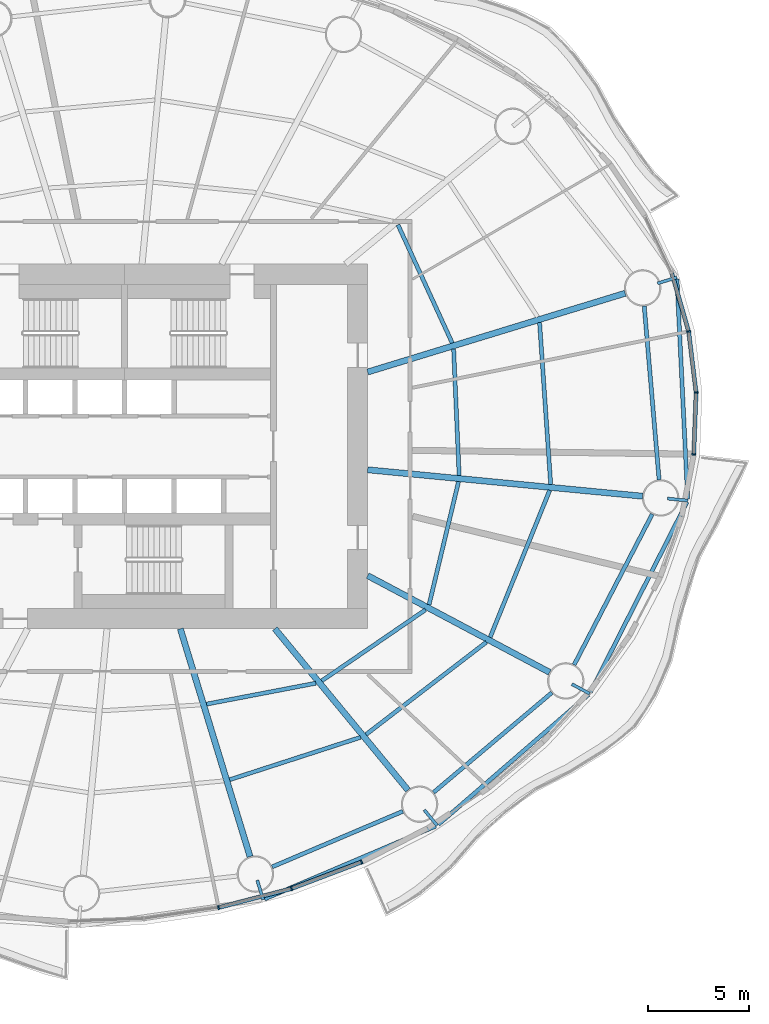
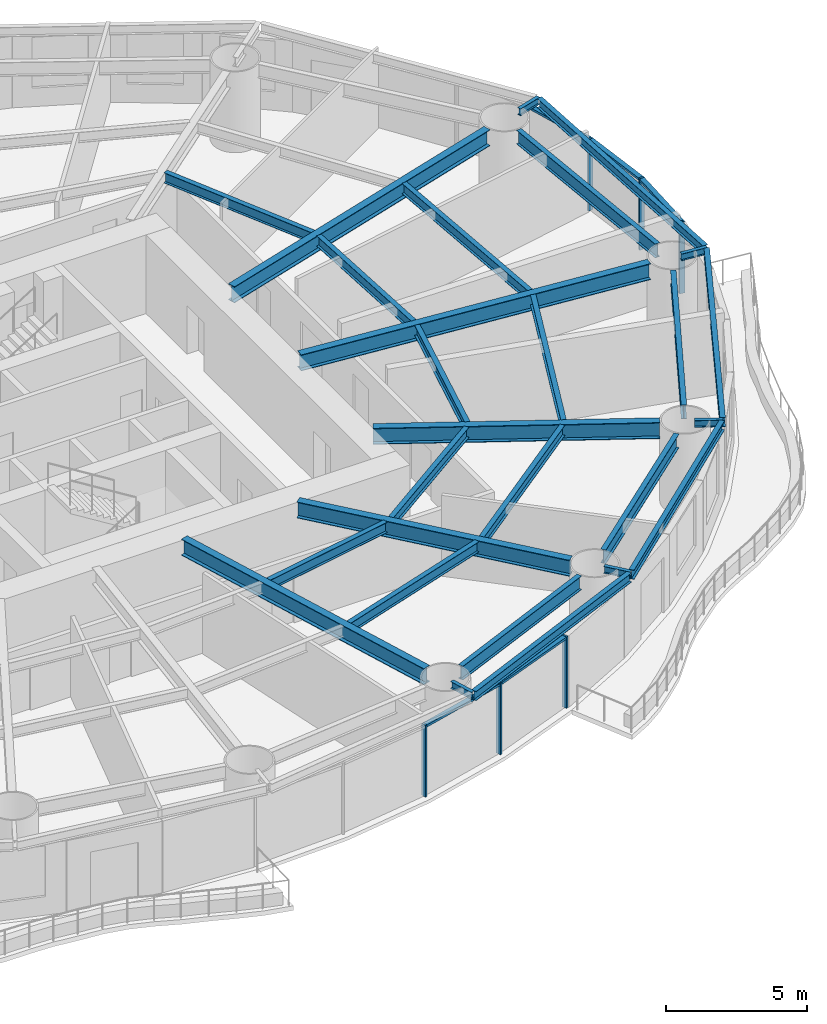
# One storey, part 4 of 16: 27 beams, 11 members, 5 elements without a shape of their own.
"""IFC4 building model written with IfcOpenShell, lengths in metres."""

import ifcopenshell
import ifcopenshell.guid

model = None  # the IFC model being written
_history = None  # IfcOwnerHistory: only IFC2X3 demands one
_inside = {}  # id of a spatial element -> (the spatial element, [elements in it])
_under = {}  # id of a project, library or spatial element -> (it, [spatial elements below it])
_declared = {}  # id of a project -> (the project, [libraries it declares])
_typed = {}  # id of a type object -> (the type object, [elements of that type])
_made_of = {}  # id of a material, layer set ... -> (it, [elements and type objects made of it])


def new_model(schema):
    """Start an empty IFC model of exactly this schema.

    Asked for "IFC4X3", IfcOpenShell would pick the latest addendum, in which some entities
    have other attributes; the version numbers below select the first issue.
    IFC2X3 requires an IfcOwnerHistory on every rooted entity: one is made here for all.
    """
    global model, _history
    if schema == "IFC4X3":
        model = ifcopenshell.file(schema_version=(4, 3, 0, 0))
    else:
        model = ifcopenshell.file(schema=schema)
    _inside.clear()
    _under.clear()
    _declared.clear()
    _typed.clear()
    _made_of.clear()
    _history = None
    if model.schema == "IFC2X3":
        org = make("IfcOrganization", Name="unknown")
        user = make(
            "IfcPersonAndOrganization",
            ThePerson=make("IfcPerson", FamilyName="unknown"),
            TheOrganization=org,
        )
        app = make(
            "IfcApplication",
            ApplicationDeveloper=org,
            Version="unknown",
            ApplicationFullName="unknown",
            ApplicationIdentifier="unknown",
        )
        _history = make(
            "IfcOwnerHistory",
            OwningUser=user,
            OwningApplication=app,
            ChangeAction="ADDED",
            CreationDate=0,
        )
    return model


def make(cls, **values):
    """One entity of the class cls with the attributes given. An attribute that is None is left unset."""
    return model.create_entity(
        cls, **{name: value for name, value in values.items() if value is not None}
    )


def rooted(cls, **values):
    """An entity with a GlobalId (a new one), such as an element, a storey or a relation."""
    return make(cls, GlobalId=ifcopenshell.guid.new(), OwnerHistory=_history, **values)


def si_unit(unit_type, name, prefix=None):
    """IfcSIUnit, for example si_unit("LENGTHUNIT", "METRE", prefix="MILLI")."""
    return make("IfcSIUnit", UnitType=unit_type, Prefix=prefix, Name=name)


def assignment(units):
    """IfcUnitAssignment: the units of a project."""
    return None if units is None else make("IfcUnitAssignment", Units=units)


def point(xyz):
    """IfcCartesianPoint."""
    return None if xyz is None else make("IfcCartesianPoint", Coordinates=xyz)


def direction(xyz):
    """IfcDirection."""
    return None if xyz is None else make("IfcDirection", DirectionRatios=xyz)


def frame(location, z_axis=None, x_axis=None):
    """IfcAxis2Placement3D, a coordinate frame: its origin and axes. An axis left out is left unset."""
    return make(
        "IfcAxis2Placement3D",
        Location=point(location),
        Axis=direction(z_axis),
        RefDirection=direction(x_axis),
    )


def frame_2d(location, x_axis=None):
    """IfcAxis2Placement2D, a coordinate frame in the plane: its origin and x axis."""
    return make(
        "IfcAxis2Placement2D", Location=point(location), RefDirection=direction(x_axis)
    )


def origin():
    """The frame at (0, 0, 0) with its axes left unset."""
    return frame((0.0, 0.0, 0.0))


def origin_2d():
    """The frame at (0, 0) in the plane with its x axis left unset."""
    return frame_2d((0.0, 0.0))


def place(relative_to, where):
    """IfcLocalPlacement: puts the frame where relative to a parent placement (None: the world)."""
    return make(
        "IfcLocalPlacement", PlacementRelTo=relative_to, RelativePlacement=where
    )


def context(
    kind, dimensions, precision=None, world=None, true_north=None, identifier=None
):
    """IfcGeometricRepresentationContext, for example the 3D "Model" context."""
    return make(
        "IfcGeometricRepresentationContext",
        ContextIdentifier=identifier,
        ContextType=kind,
        CoordinateSpaceDimension=dimensions,
        Precision=precision,
        WorldCoordinateSystem=world,
        TrueNorth=true_north,
    )


def subcontext(parent, identifier, kind, view, scale=None):
    """IfcGeometricRepresentationSubContext, for example "Body" below "Model"."""
    return make(
        "IfcGeometricRepresentationSubContext",
        ContextIdentifier=identifier,
        ContextType=kind,
        ParentContext=parent,
        TargetScale=scale,
        TargetView=view,
    )


def project(units=None, contexts=None):
    """IfcProject with its units and contexts."""
    return rooted(
        "IfcProject",
        Name="project",
        RepresentationContexts=contexts,
        UnitsInContext=assignment(units),
    )


def spatial(cls, under=None, at=None, **own):
    """A site, building, storey or space (cls), placed at a placement, below another one or the project."""
    s = rooted(cls, ObjectPlacement=at, **own)
    if under is not None:
        _under.setdefault(under.id(), (under, []))[1].append(s)
    return s


def profile(cls, at=None, kind="AREA", **sizes):
    """A parametric profile (cls). Its sizes go by their IFC names, for example OverallWidth=200.0."""
    return make(cls, ProfileType=kind, Position=at, **sizes)


def rectangle(**sizes):
    """IfcRectangleProfileDef."""
    return profile("IfcRectangleProfileDef", **sizes)


def i_section(**sizes):
    """IfcIShapeProfileDef."""
    return profile("IfcIShapeProfileDef", **sizes)


def extrude(swept, where, along, depth):
    """IfcExtrudedAreaSolid: the profile swept, set in the frame where, extruded along a direction by depth."""
    return make(
        "IfcExtrudedAreaSolid",
        SweptArea=swept,
        Position=where,
        ExtrudedDirection=direction(along),
        Depth=depth,
    )


def shape(context_of_items, identifier, shape_type, items):
    """IfcShapeRepresentation: the items that make up one representation, for example the "Body"."""
    return make(
        "IfcShapeRepresentation",
        ContextOfItems=context_of_items,
        RepresentationIdentifier=identifier,
        RepresentationType=shape_type,
        Items=items,
    )


def material(Name=None, Category=None):
    """IfcMaterial."""
    return make("IfcMaterial", Name=Name, Category=Category)


def material_profile(
    of_material, cross_section, Name=None, Category=None, Priority=None
):
    """IfcMaterialProfile: a cross section and its material."""
    return make(
        "IfcMaterialProfile",
        Name=Name,
        Material=of_material,
        Profile=cross_section,
        Priority=Priority,
        Category=Category,
    )


def profile_set(profiles, Name=None, composite=None):
    """IfcMaterialProfileSet."""
    return make(
        "IfcMaterialProfileSet",
        Name=Name,
        MaterialProfiles=profiles,
        CompositeProfile=composite,
    )


def made_of(thing, what):
    """Note that an element or type object is made of a material, layer set ...; save() writes the relation."""
    if what is not None:
        _made_of.setdefault(what.id(), (what, []))[1].append(thing)
    return thing


def type_object(cls, material=None, **own):
    """A type object (cls), such as IfcWallType, which elements share."""
    return made_of(rooted(cls, **own), material)


def element(
    cls,
    number,
    at=None,
    inside=None,
    cuts=None,
    type_object=None,
    material=None,
    context=None,
    identifier="Body",
    shape_type=None,
    held_by="IfcProductDefinitionShape",
    body=None,
    shapes=None,
    **own,
):
    """One element of the class cls, such as IfcWall. Its Tag is "e" and its number.

    at: its placement. inside: the storey or other place that contains it. cuts: it is an
    opening in that element (IfcRelVoidsElement). A single representation is given by context,
    identifier, shape_type and body (its items); several are given by shapes. held_by: the class
    of the entity that holds the representations. save() writes the other relations.
    """
    e = rooted(cls, Tag="e%d" % number, ObjectPlacement=at, **own)
    if body is not None:
        shapes = [shape(context, identifier, shape_type, body)]
    if shapes is not None:
        e.Representation = make(held_by, Representations=shapes)
    if inside is not None:
        _inside.setdefault(inside.id(), (inside, []))[1].append(e)
    if cuts is not None:
        rooted(
            "IfcRelVoidsElement", RelatingBuildingElement=cuts, RelatedOpeningElement=e
        )
    if type_object is not None:
        _typed.setdefault(type_object.id(), (type_object, []))[1].append(e)
    return made_of(e, material)


def aggregate(whole, parts):
    """IfcRelAggregates: a whole, such as a stair, and the parts it consists of."""
    return rooted("IfcRelAggregates", RelatingObject=whole, RelatedObjects=parts)


def save(model, path):
    """Write the relations noted so far, then the file.

    IfcRelAggregates (storeys below a building ...), IfcRelContainedInSpatialStructure (elements
    in a storey), IfcRelDefinesByType, IfcRelAssociatesMaterial and IfcRelDeclares: one each for
    every whole, place, type object, material and project.
    """
    for whole, parts in _under.values():
        aggregate(whole, parts)
    for where, things in _inside.values():
        rooted(
            "IfcRelContainedInSpatialStructure",
            RelatedElements=things,
            RelatingStructure=where,
        )
    for kind, things in _typed.values():
        rooted("IfcRelDefinesByType", RelatedObjects=things, RelatingType=kind)
    for what, things in _made_of.values():
        rooted("IfcRelAssociatesMaterial", RelatedObjects=things, RelatingMaterial=what)
    for by, libraries in _declared.values():
        rooted("IfcRelDeclares", RelatingContext=by, RelatedDefinitions=libraries)
    model.write(path)


model = new_model("IFC4")

# Units and contexts
model_context = context("Model", 3, precision=1e-05, world=origin(), true_north=direction((0.0, 1.0)))
body_context = subcontext(model_context, "Body", "Model", "MODEL_VIEW")
ifc_project = project(units=[si_unit("LENGTHUNIT", "METRE"), si_unit("AREAUNIT", "SQUARE_METRE"), si_unit("VOLUMEUNIT", "CUBIC_METRE"), si_unit("PLANEANGLEUNIT", "RADIAN"), si_unit("MASSUNIT", "GRAM", prefix="KILO")], contexts=[model_context])

# Site, building, storey
site_placement = place(None, origin())
site = spatial("IfcSite", under=ifc_project, at=site_placement, CompositionType="ELEMENT")
building_placement = place(site_placement, origin())
building = spatial("IfcBuilding", under=site, at=building_placement, Name="Vermilion Reach Broadcast Tower", CompositionType="ELEMENT")
storey_placement = place(building_placement, frame((0.0, 0.0, 80.39990234375)))
storey = spatial("IfcBuildingStorey", under=building, at=storey_placement, Name="L17", CompositionType="ELEMENT", Elevation=80.39990234375)

# Beams
ifc_material_1 = material(Name="Steel S355J2", Category="steel")
ifc_material_profile_1 = material_profile(ifc_material_1, i_section(OverallWidth=0.199951171875, OverallDepth=0.39990234375, WebThickness=0.008056640625, FlangeThickness=0.012939453125, at=origin_2d()), Name="S355J2 HN 400x200x8x13")
ifc_profile_set_1 = profile_set([ifc_material_profile_1], Name="Steel S355J2")
beam_type_1 = type_object("IfcBeamType", Name="EB1 HN 400x200x8x13", PredefinedType="BEAM", material=ifc_profile_set_1)
beam_1_placement = place(storey_placement, frame((0.912841796875, -22.340576171875, 3.300048828125), z_axis=(0.920064099083, 0.391767856746, 0.0), x_axis=(-0.391767856746, 0.920064099083, 0.0)))
element("IfcBeam", 1, at=beam_1_placement, inside=storey, type_object=beam_type_1, Name="Edge beam EB1-13", PredefinedType="BEAM", context=body_context, shape_type="SweptSolid", body=[
    extrude(i_section(OverallWidth=0.199951171875, OverallDepth=0.39990234375, WebThickness=0.008056640625, FlangeThickness=0.012939453125, at=origin_2d()), origin(), (0.0, 0.0, 1.0), 9.1806640625),
])
beam_2_placement = place(storey_placement, frame((9.48828125, -18.6640625, 3.300048828125), z_axis=(0.756490108512, 0.654005134325, 0.0), x_axis=(-0.654005134325, 0.756490108512, 0.0)))
element("IfcBeam", 2, at=beam_2_placement, inside=storey, type_object=beam_type_1, Name="Edge beam EB1-14", PredefinedType="BEAM", context=body_context, shape_type="SweptSolid", body=[
    extrude(i_section(OverallWidth=0.199951171875, OverallDepth=0.39990234375, WebThickness=0.008056640625, FlangeThickness=0.012939453125, at=origin_2d()), origin(), (0.0, 0.0, 1.0), 9.798095703125),
])
beam_3_placement = place(storey_placement, frame((16.995361328125, -12.13671875, 3.300048828125), z_axis=(0.45283153701, 0.891596096385, 0.0), x_axis=(-0.891596096385, 0.45283153701, 0.0)))
element("IfcBeam", 3, at=beam_3_placement, inside=storey, type_object=beam_type_1, Name="Edge beam EB1-15", PredefinedType="BEAM", context=body_context, shape_type="SweptSolid", body=[
    extrude(i_section(OverallWidth=0.199951171875, OverallDepth=0.39990234375, WebThickness=0.008056640625, FlangeThickness=0.012939453125, at=origin_2d()), origin(), (0.0, 0.0, 1.0), 10.534912109375),
])
beam_4_placement = place(storey_placement, frame((21.798583984375, -2.596435546875, 3.300048828125), z_axis=(-0.048861332348, 0.998805571771, 0.0), x_axis=(-0.998805571771, -0.048861332348, 0.0)))
element("IfcBeam", 4, at=beam_4_placement, inside=storey, type_object=beam_type_1, Name="Edge beam EB1-16", PredefinedType="BEAM", context=body_context, shape_type="SweptSolid", body=[
    extrude(i_section(OverallWidth=0.199951171875, OverallDepth=0.39990234375, WebThickness=0.008056640625, FlangeThickness=0.012939453125, at=origin_2d()), origin(), (0.0, 0.0, 1.0), 10.87255859375),
])
ifc_material_2 = material(Name="Steel S355J2", Category="steel")
ifc_material_profile_2 = material_profile(ifc_material_2, i_section(OverallWidth=0.300048828125, OverallDepth=0.699951171875, WebThickness=0.012939453125, FlangeThickness=0.02392578125, at=origin_2d()), Name="S355J2 HN 700x300x13x24")
ifc_profile_set_2 = profile_set([ifc_material_profile_2], Name="Steel S355J2")
beam_type_2 = type_object("IfcBeamType", Name="G1 HN 700x300x13x24", PredefinedType="BEAM", material=ifc_profile_set_2)
beam_5_placement = place(storey_placement, frame((6.0, 3.671142578125, 3.150146484375), z_axis=(0.956255735186, 0.292531996409, 0.0), x_axis=(-0.292531996409, 0.956255735186, 0.0)))
element("IfcBeam", 5, at=beam_5_placement, inside=storey, type_object=beam_type_2, Name="Girder G1-01", PredefinedType="BEAM", context=body_context, shape_type="SweptSolid", body=[
    extrude(i_section(OverallWidth=0.300048828125, OverallDepth=0.699951171875, WebThickness=0.012939453125, FlangeThickness=0.02392578125, at=origin_2d()), origin(), (0.0, 0.0, 1.0), 13.29638671875),
])
beam_6_placement = place(storey_placement, frame((-3.246826171875, -9.0, 3.150146484375), z_axis=(0.292542302886, -0.95625258223, 0.0), x_axis=(0.95625258223, 0.292542302886, 0.0)))
element("IfcBeam", 6, at=beam_6_placement, inside=storey, type_object=beam_type_2, Name="Girder G1-13", PredefinedType="BEAM", context=body_context, shape_type="SweptSolid", body=[
    extrude(i_section(OverallWidth=0.300048828125, OverallDepth=0.699951171875, WebThickness=0.012939453125, FlangeThickness=0.02392578125, at=origin_2d()), origin(), (0.0, 0.0, 1.0), 11.76220703125),
])
beam_7_placement = place(storey_placement, frame((1.421630859375, -9.0, 3.150146484375), z_axis=(0.636215165107, -0.77151167437, 0.0), x_axis=(0.77151167437, 0.636215165107, 0.0)))
element("IfcBeam", 7, at=beam_7_placement, inside=storey, type_object=beam_type_2, Name="Girder G1-14", PredefinedType="BEAM", context=body_context, shape_type="SweptSolid", body=[
    extrude(i_section(OverallWidth=0.300048828125, OverallDepth=0.699951171875, WebThickness=0.012939453125, FlangeThickness=0.02392578125, at=origin_2d()), origin(), (0.0, 0.0, 1.0), 10.3251953125),
])
beam_8_placement = place(storey_placement, frame((6.0, -6.3779296875, 3.150146484375), z_axis=(0.883032139419, -0.469312519279, 0.0), x_axis=(0.469312519279, 0.883032139419, 0.0)))
element("IfcBeam", 8, at=beam_8_placement, inside=storey, type_object=beam_type_2, Name="Girder G1-15", PredefinedType="BEAM", context=body_context, shape_type="SweptSolid", body=[
    extrude(i_section(OverallWidth=0.300048828125, OverallDepth=0.699951171875, WebThickness=0.012939453125, FlangeThickness=0.02392578125, at=origin_2d()), origin(), (0.0, 0.0, 1.0), 10.17529296875),
])
beam_9_placement = place(storey_placement, frame((6.0, -1.1533203125, 3.150146484375), z_axis=(0.995412178872, -0.095679643363, 0.0), x_axis=(0.095679643363, 0.995412178872, 0.0)))
element("IfcBeam", 9, at=beam_9_placement, inside=storey, type_object=beam_type_2, Name="Girder G1-16", PredefinedType="BEAM", context=body_context, shape_type="SweptSolid", body=[
    extrude(i_section(OverallWidth=0.300048828125, OverallDepth=0.699951171875, WebThickness=0.012939453125, FlangeThickness=0.02392578125, at=origin_2d()), origin(), (0.0, 0.0, 1.0), 13.630859375),
])
ifc_material_3 = material(Name="Steel S355J2", Category="steel")
ifc_material_profile_3 = material_profile(ifc_material_3, i_section(OverallWidth=0.14990234375, OverallDepth=0.300048828125, WebThickness=0.006591796875, FlangeThickness=0.009033203125, at=origin_2d()), Name="S355J2 HN 300x150x6.5x9")
ifc_profile_set_3 = profile_set([ifc_material_profile_3], Name="Steel S355J2")
beam_type_3 = type_object("IfcBeamType", Name="GS1 HN 300x150x6.5x9", PredefinedType="BEAM", material=ifc_profile_set_3)
for number, where, z_axis, x_axis, name in (
    (10, (20.307373046875, 8.048095703125, 3.35009765625), (0.95627383467, 0.292472824594, 0.0), (-0.292472824594, 0.95627383467, 0.0), "Cantilever stub GS1-01"),
    (11, (0.551025390625, -21.413818359375, 3.35009765625), (0.292472824594, -0.95627383467, 0.0), (0.95627383467, 0.292472824594, 0.0), "Cantilever stub GS1-13"),
    (12, (8.795166015625, -17.941650390625, 3.35009765625), (0.636237674108, -0.771493112118, 0.0), (0.771493112118, 0.636237674108, 0.0), "Cantilever stub GS1-14"),
    (13, (16.078369140625, -11.734375, 3.35009765625), (0.883068299348, -0.469244476458, 0.0), (0.469244476458, 0.883068299348, 0.0), "Cantilever stub GS1-15"),
):
    element("IfcBeam", number, at=place(storey_placement, frame(where, z_axis=z_axis, x_axis=x_axis)), inside=storey, type_object=beam_type_3, Name=name, PredefinedType="BEAM", context=body_context, shape_type="SweptSolid", body=[
        extrude(i_section(OverallWidth=0.14990234375, OverallDepth=0.300048828125, WebThickness=0.006591796875, FlangeThickness=0.009033203125, at=origin_2d()), origin(), (0.0, 0.0, 1.0), 1.0),
    ])
beam_10_placement = place(storey_placement, frame((20.806884765625, -2.576416015625, 3.35009765625), z_axis=(0.995411712034, -0.095684500029, 0.0), x_axis=(0.095684500029, 0.995411712034, 0.0)))
element("IfcBeam", 14, at=beam_10_placement, inside=storey, type_object=beam_type_3, Name="Cantilever stub GS1-16", PredefinedType="BEAM", context=body_context, shape_type="SweptSolid", body=[
    extrude(i_section(OverallWidth=0.14990234375, OverallDepth=0.300048828125, WebThickness=0.006591796875, FlangeThickness=0.009033203125, at=origin_2d()), origin(), (0.0, 0.0, 1.0), 1.000244140625),
])
ifc_material_4 = material(Name="Steel S355J2", Category="steel")
ifc_material_profile_4 = material_profile(ifc_material_4, i_section(OverallWidth=0.199951171875, OverallDepth=0.60009765625, WebThickness=0.010986328125, FlangeThickness=0.01708984375, at=origin_2d()), Name="S355J2 HN 600x200x11x17")
ifc_profile_set_4 = profile_set([ifc_material_profile_4], Name="Steel S355J2")
beam_type_4 = type_object("IfcBeamType", Name="RB1 HN 600x200x11x17", PredefinedType="BEAM", material=ifc_profile_set_4)
beam_11_placement = place(storey_placement, frame((1.28564453125, -20.755859375, 3.2001953125), z_axis=(0.920220846584, 0.391399531825, 0.0), x_axis=(-0.391399531825, 0.920220846584, 0.0)))
element("IfcBeam", 15, at=beam_11_placement, inside=storey, type_object=beam_type_4, Name="Ring beam RB1-13", PredefinedType="BEAM", context=body_context, shape_type="SweptSolid", body=[
    extrude(i_section(OverallWidth=0.199951171875, OverallDepth=0.60009765625, WebThickness=0.010986328125, FlangeThickness=0.01708984375, at=origin_2d()), origin(), (0.0, 0.0, 1.0), 7.008544921875),
])
beam_12_placement = place(storey_placement, frame((9.251220703125, -17.080322265625, 3.2001953125), z_axis=(0.764512441084, 0.6446089725, 0.0), x_axis=(-0.6446089725, 0.764512441084, 0.0)))
element("IfcBeam", 16, at=beam_12_placement, inside=storey, type_object=beam_type_4, Name="Ring beam RB1-14", PredefinedType="BEAM", context=body_context, shape_type="SweptSolid", body=[
    extrude(i_section(OverallWidth=0.199951171875, OverallDepth=0.60009765625, WebThickness=0.010986328125, FlangeThickness=0.01708984375, at=origin_2d()), origin(), (0.0, 0.0, 1.0), 7.6396484375),
])
beam_13_placement = place(storey_placement, frame((16.194091796875, -10.776611328125, 3.2001953125), z_axis=(0.460411617218, 0.887705549566, 0.0), x_axis=(-0.887705549566, 0.460411617218, 0.0)))
element("IfcBeam", 17, at=beam_13_placement, inside=storey, type_object=beam_type_4, Name="Ring beam RB1-15", PredefinedType="BEAM", context=body_context, shape_type="SweptSolid", body=[
    extrude(i_section(OverallWidth=0.199951171875, OverallDepth=0.60009765625, WebThickness=0.010986328125, FlangeThickness=0.01708984375, at=origin_2d()), origin(), (0.0, 0.0, 1.0), 8.37451171875),
])
beam_14_placement = place(storey_placement, frame((20.38720703125, -1.646728515625, 3.2001953125), z_axis=(-0.085395508608, 0.996347131832, 0.0), x_axis=(-0.996347131832, -0.085395508608, 0.0)))
element("IfcBeam", 18, at=beam_14_placement, inside=storey, type_object=beam_type_4, Name="Ring beam RB1-16", PredefinedType="BEAM", context=body_context, shape_type="SweptSolid", body=[
    extrude(i_section(OverallWidth=0.199951171875, OverallDepth=0.60009765625, WebThickness=0.010986328125, FlangeThickness=0.01708984375, at=origin_2d()), origin(), (0.0, 0.0, 1.0), 8.60546875),
])
ifc_material_5 = material(Name="Steel S355J2", Category="steel")
ifc_material_profile_5 = material_profile(ifc_material_5, i_section(OverallWidth=0.199951171875, OverallDepth=0.449951171875, WebThickness=0.009033203125, FlangeThickness=0.013916015625, at=origin_2d()), Name="S355J2 HN 450x200x9x14")
ifc_profile_set_5 = profile_set([ifc_material_profile_5], Name="Steel S355J2")
beam_type_5 = type_object("IfcBeamType", Name="SB1 HN 450x200x9x14", PredefinedType="BEAM", material=ifc_profile_set_5)
beam_15_placement = place(storey_placement, frame((10.175048828125, 5.105224609375, 3.275146484375), z_axis=(-0.417211452529, 0.908809443106, 0.0), x_axis=(-0.908809443106, -0.417211452529, 0.0)))
element("IfcBeam", 19, at=beam_15_placement, inside=storey, type_object=beam_type_5, Name="Secondary beam SB1-01-1", PredefinedType="BEAM", context=body_context, shape_type="SweptSolid", body=[
    extrude(i_section(OverallWidth=0.199951171875, OverallDepth=0.449951171875, WebThickness=0.009033203125, FlangeThickness=0.013916015625, at=origin_2d()), origin(), (0.0, 0.0, 1.0), 6.41650390625),
])
beam_16_placement = place(storey_placement, frame((-1.95166015625, -12.720703125, 3.275146484375), z_axis=(0.982151348822, 0.188092339045, 0.0), x_axis=(-0.188092339045, 0.982151348822, 0.0)))
element("IfcBeam", 20, at=beam_16_placement, inside=storey, type_object=beam_type_5, Name="Secondary beam SB1-13-1", PredefinedType="BEAM", context=body_context, shape_type="SweptSolid", body=[
    extrude(i_section(OverallWidth=0.199951171875, OverallDepth=0.449951171875, WebThickness=0.009033203125, FlangeThickness=0.013916015625, at=origin_2d()), origin(), (0.0, 0.0, 1.0), 5.4931640625),
])
beam_17_placement = place(storey_placement, frame((-0.81005859375, -16.4521484375, 3.275146484375), z_axis=(0.951332300844, 0.308166924523, 0.0), x_axis=(-0.308166924523, 0.951332300844, 0.0)))
element("IfcBeam", 21, at=beam_17_placement, inside=storey, type_object=beam_type_5, Name="Secondary beam SB1-13-2", PredefinedType="BEAM", context=body_context, shape_type="SweptSolid", body=[
    extrude(i_section(OverallWidth=0.199951171875, OverallDepth=0.449951171875, WebThickness=0.009033203125, FlangeThickness=0.013916015625, at=origin_2d()), origin(), (0.0, 0.0, 1.0), 6.787841796875),
])
beam_18_placement = place(storey_placement, frame((3.735595703125, -11.5703125, 3.275146484375), z_axis=(0.825140253447, 0.564927926502, 0.0), x_axis=(-0.564927926502, 0.825140253447, 0.0)))
element("IfcBeam", 22, at=beam_18_placement, inside=storey, type_object=beam_type_5, Name="Secondary beam SB1-14-1", PredefinedType="BEAM", context=body_context, shape_type="SweptSolid", body=[
    extrude(i_section(OverallWidth=0.199951171875, OverallDepth=0.449951171875, WebThickness=0.009033203125, FlangeThickness=0.013916015625, at=origin_2d()), origin(), (0.0, 0.0, 1.0), 6.20458984375),
])
beam_19_placement = place(storey_placement, frame((5.920166015625, -14.21923828125, 3.275146484375), z_axis=(0.793349617473, 0.60876628065, 0.0), x_axis=(-0.60876628065, 0.793349617473, 0.0)))
element("IfcBeam", 23, at=beam_19_placement, inside=storey, type_object=beam_type_5, Name="Secondary beam SB1-14-2", PredefinedType="BEAM", context=body_context, shape_type="SweptSolid", body=[
    extrude(i_section(OverallWidth=0.199951171875, OverallDepth=0.449951171875, WebThickness=0.009033203125, FlangeThickness=0.013916015625, at=origin_2d()), origin(), (0.0, 0.0, 1.0), 7.486328125),
])
beam_20_placement = place(storey_placement, frame((9.031005859375, -7.81884765625, 3.275146484375), z_axis=(0.232844467589, 0.972513986487, 0.0), x_axis=(-0.972513986487, 0.232844467589, 0.0)))
element("IfcBeam", 24, at=beam_20_placement, inside=storey, type_object=beam_type_5, Name="Secondary beam SB1-15-1", PredefinedType="BEAM", context=body_context, shape_type="SweptSolid", body=[
    extrude(i_section(OverallWidth=0.199951171875, OverallDepth=0.449951171875, WebThickness=0.009033203125, FlangeThickness=0.013916015625, at=origin_2d()), origin(), (0.0, 0.0, 1.0), 6.25537109375),
])
beam_21_placement = place(storey_placement, frame((12.046630859375, -9.421630859375, 3.275146484375), z_axis=(0.375640669938, 0.926765389453, 0.0), x_axis=(-0.926765389453, 0.375640669938, 0.0)))
element("IfcBeam", 25, at=beam_21_placement, inside=storey, type_object=beam_type_5, Name="Secondary beam SB1-15-2", PredefinedType="BEAM", context=body_context, shape_type="SweptSolid", body=[
    extrude(i_section(OverallWidth=0.199951171875, OverallDepth=0.449951171875, WebThickness=0.009033203125, FlangeThickness=0.013916015625, at=origin_2d()), origin(), (0.0, 0.0, 1.0), 7.8271484375),
])
beam_22_placement = place(storey_placement, frame((10.51611328125, -1.436767578125, 3.275146484375), z_axis=(-0.043361007512, 0.999059469215, 0.0), x_axis=(-0.999059469215, -0.043361007512, 0.0)))
element("IfcBeam", 26, at=beam_22_placement, inside=storey, type_object=beam_type_5, Name="Secondary beam SB1-16-1", PredefinedType="BEAM", context=body_context, shape_type="SweptSolid", body=[
    extrude(i_section(OverallWidth=0.199951171875, OverallDepth=0.449951171875, WebThickness=0.009033203125, FlangeThickness=0.013916015625, at=origin_2d()), origin(), (0.0, 0.0, 1.0), 6.25537109375),
])
beam_23_placement = place(storey_placement, frame((15.03515625, -1.87109375, 3.275146484375), z_axis=(-0.068507801475, 0.997650580683, 0.0), x_axis=(-0.997650580683, -0.068507801475, 0.0)))
element("IfcBeam", 27, at=beam_23_placement, inside=storey, type_object=beam_type_5, Name="Secondary beam SB1-16-2", PredefinedType="BEAM", context=body_context, shape_type="SweptSolid", body=[
    extrude(i_section(OverallWidth=0.199951171875, OverallDepth=0.449951171875, WebThickness=0.009033203125, FlangeThickness=0.013916015625, at=origin_2d()), origin(), (0.0, 0.0, 1.0), 8.00048828125),
])

# Curtain wall, member
ifc_material_6 = material(Name="Low-e laminated clear glass in aluminium frame", Category="aluminium")
curtain_wall_type = type_object("IfcCurtainWallType", Name="Slot curtain wall", PredefinedType="NOTDEFINED", material=ifc_material_6)
placement = place(storey_placement, origin())
curtain_wall_1 = element("IfcCurtainWall", 28, at=placement, inside=storey, type_object=curtain_wall_type, Name="Slot curtain wall L17 46", PredefinedType="NOTDEFINED")
ifc_material_7 = material(Name="Anodised aluminium", Category="aluminium")
ifc_material_profile_6 = material_profile(ifc_material_7, rectangle(XDim=0.199951171875, YDim=0.080078125, at=origin_2d()), Name="Slot mullion 80 x 200")
ifc_profile_set_6 = profile_set([ifc_material_profile_6], Name="Anodised aluminium")
member_type_1 = type_object("IfcMemberType", Name="Slot mullion 80 x 200", PredefinedType="MULLION", material=ifc_profile_set_6)
member_1_placement = place(storey_placement, frame((22.097412109375, -0.393798828125, 0.0), z_axis=(0.0, 0.0, 1.0), x_axis=(-0.993465879785, 0.114129512845, 0.0)))
member_1 = element("IfcMember", 29, at=member_1_placement, type_object=member_type_1, Name="Slot mullion L17 46", PredefinedType="MULLION", context=body_context, shape_type="SweptSolid", body=[
    extrude(rectangle(XDim=0.199951171875, YDim=0.080078125, at=origin_2d()), origin(), (0.0, 0.0, 1.0), 3.10009765625),
])

curtain_wall_2 = element("IfcCurtainWall", 30, at=placement, inside=storey, type_object=curtain_wall_type, Name="Slot curtain wall L17 47", PredefinedType="NOTDEFINED")
member_2_placement = place(storey_placement, frame((22.2109375, 2.663818359375, 0.0), z_axis=(0.0, 0.0, 1.0), x_axis=(-0.99911467771, -0.042069713381, 0.0)))
member_2 = element("IfcMember", 31, at=member_2_placement, type_object=member_type_1, Name="Slot mullion L17 47", PredefinedType="MULLION", context=body_context, shape_type="SweptSolid", body=[
    extrude(rectangle(XDim=0.199951171875, YDim=0.080078125, at=origin_2d()), origin(), (0.0, 0.0, 1.0), 3.10009765625),
])

curtain_wall_3 = element("IfcCurtainWall", 32, at=placement, inside=storey, type_object=curtain_wall_type, Name="Slot curtain wall L17 00", PredefinedType="NOTDEFINED")
member_3_placement = place(storey_placement, frame((21.843994140625, 5.675048828125, 0.0), z_axis=(0.0, 0.0, 1.0), x_axis=(-0.97985507938, -0.199709848062, 0.0)))
member_3 = element("IfcMember", 33, at=member_3_placement, type_object=member_type_1, Name="Slot mullion L17 00", PredefinedType="MULLION", context=body_context, shape_type="SweptSolid", body=[
    extrude(rectangle(XDim=0.199951171875, YDim=0.080078125, at=origin_2d()), origin(), (0.0, 0.0, 1.0), 3.10009765625),
])

curtain_wall_4 = element("IfcCurtainWall", 34, at=placement, inside=storey, type_object=curtain_wall_type, Name="Slot curtain wall L17 36", PredefinedType="NOTDEFINED")
member_4_placement = place(storey_placement, frame((-1.3603515625, -22.763671875, 0.0), z_axis=(0.0, 0.0, 1.0), x_axis=(-0.199710001584, 0.97985504809, 0.0)))
member_4 = element("IfcMember", 35, at=member_4_placement, type_object=member_type_1, Name="Slot mullion L17 36", PredefinedType="MULLION", context=body_context, shape_type="SweptSolid", body=[
    extrude(rectangle(XDim=0.199951171875, YDim=0.080078125, at=origin_2d()), origin(), (0.0, 0.0, 1.0), 3.10009765625),
])

# Curtain wall, members
curtain_wall_5 = element("IfcCurtainWall", 36, at=placement, inside=storey, type_object=curtain_wall_type, Name="Slot curtain wall L17 37", PredefinedType="NOTDEFINED")
member_5_placement = place(storey_placement, frame((2.240966796875, -21.825927734375, 0.0), z_axis=(0.0, 0.0, 1.0), x_axis=(-0.303799182266, 0.952736089825, 0.0)))
member_5 = element("IfcMember", 37, at=member_5_placement, type_object=member_type_1, Name="Slot mullion L17 37", PredefinedType="MULLION", context=body_context, shape_type="SweptSolid", body=[
    extrude(rectangle(XDim=0.199951171875, YDim=0.080078125, at=origin_2d()), origin(), (0.0, 0.0, 1.0), 3.10009765625),
])
member_6_placement = place(storey_placement, frame((5.700439453125, -20.51318359375, 0.0), z_axis=(0.0, 0.0, 1.0), x_axis=(-0.405476603752, 0.9141054227, 0.0)))
member_6 = element("IfcMember", 38, at=member_6_placement, type_object=member_type_1, Name="Slot mullion L17 38", PredefinedType="MULLION", context=body_context, shape_type="SweptSolid", body=[
    extrude(rectangle(XDim=0.199951171875, YDim=0.080078125, at=origin_2d()), origin(), (0.0, 0.0, 1.0), 3.10009765625),
])

# Member
ifc_material_8 = material(Name="Anodised aluminium", Category="aluminium")
ifc_material_profile_7 = material_profile(ifc_material_8, rectangle(XDim=0.199951171875, YDim=0.10009765625, at=origin_2d()), Name="Slot transom 200 x 100")
ifc_profile_set_7 = profile_set([ifc_material_profile_7], Name="Anodised aluminium")
member_type_2 = type_object("IfcMemberType", Name="Slot transom 200 x 100", PredefinedType="USERDEFINED", material=ifc_profile_set_7)
member_7_placement = place(storey_placement, frame((22.09912109375, -0.353759765625, 3.050048828125), z_axis=(0.037035905121, 0.999313935524, 0.0), x_axis=(-0.999313935524, 0.037035905121, 0.0)))
member_7 = element("IfcMember", 39, at=member_7_placement, type_object=member_type_2, Name="Slot transom L17 46.1", ObjectType="TRANSOM", PredefinedType="USERDEFINED", context=body_context, shape_type="SweptSolid", body=[
    extrude(rectangle(XDim=0.199951171875, YDim=0.10009765625, at=origin_2d()), origin(), (0.0, 0.0, 1.0), 2.9794921875),
])

aggregate(curtain_wall_1, [member_1, member_7])

member_8_placement = place(storey_placement, frame((22.2060546875, 2.703369140625, 3.050048828125), z_axis=(-0.12093120845, 0.992660890145, 0.0), x_axis=(-0.992660890145, -0.12093120845, 0.0)))
member_8 = element("IfcMember", 40, at=member_8_placement, type_object=member_type_2, Name="Slot transom L17 47.1", ObjectType="TRANSOM", PredefinedType="USERDEFINED", context=body_context, shape_type="SweptSolid", body=[
    extrude(rectangle(XDim=0.199951171875, YDim=0.10009765625, at=origin_2d()), origin(), (0.0, 0.0, 1.0), 2.95361328125),
])

aggregate(curtain_wall_2, [member_2, member_8])

member_9_placement = place(storey_placement, frame((21.8330078125, 5.71337890625, 3.050048828125), z_axis=(-0.277231088081, 0.960803270083, 0.0), x_axis=(-0.960803270083, -0.277231088081, 0.0)))
member_9 = element("IfcMember", 41, at=member_9_placement, type_object=member_type_2, Name="Slot transom L17 00.1", ObjectType="TRANSOM", PredefinedType="USERDEFINED", context=body_context, shape_type="SweptSolid", body=[
    extrude(rectangle(XDim=0.199951171875, YDim=0.10009765625, at=origin_2d()), origin(), (0.0, 0.0, 1.0), 2.95361328125),
])

aggregate(curtain_wall_3, [member_3, member_9])

member_10_placement = place(storey_placement, frame((-1.32177734375, -22.75341796875, 3.050048828125), z_axis=(0.967738199481, 0.251957887879, 0.0), x_axis=(-0.251957887879, 0.967738199481, 0.0)))
member_10 = element("IfcMember", 42, at=member_10_placement, type_object=member_type_2, Name="Slot transom L17 36.1", ObjectType="TRANSOM", PredefinedType="USERDEFINED", context=body_context, shape_type="SweptSolid", body=[
    extrude(rectangle(XDim=0.199951171875, YDim=0.10009765625, at=origin_2d()), origin(), (0.0, 0.0, 1.0), 3.641357421875),
])

aggregate(curtain_wall_4, [member_4, member_10])

member_11_placement = place(storey_placement, frame((2.2783203125, -21.811767578125, 3.050048828125), z_axis=(0.934969762835, 0.354727420118, 0.0), x_axis=(-0.354727420118, 0.934969762835, 0.0)))
member_11 = element("IfcMember", 43, at=member_11_placement, type_object=member_type_2, Name="Slot transom L17 37.1", ObjectType="TRANSOM", PredefinedType="USERDEFINED", context=body_context, shape_type="SweptSolid", body=[
    extrude(rectangle(XDim=0.199951171875, YDim=0.10009765625, at=origin_2d()), origin(), (0.0, 0.0, 1.0), 3.6201171875),
])

aggregate(curtain_wall_5, [member_5, member_6, member_11])

save(model, "model.ifc")
